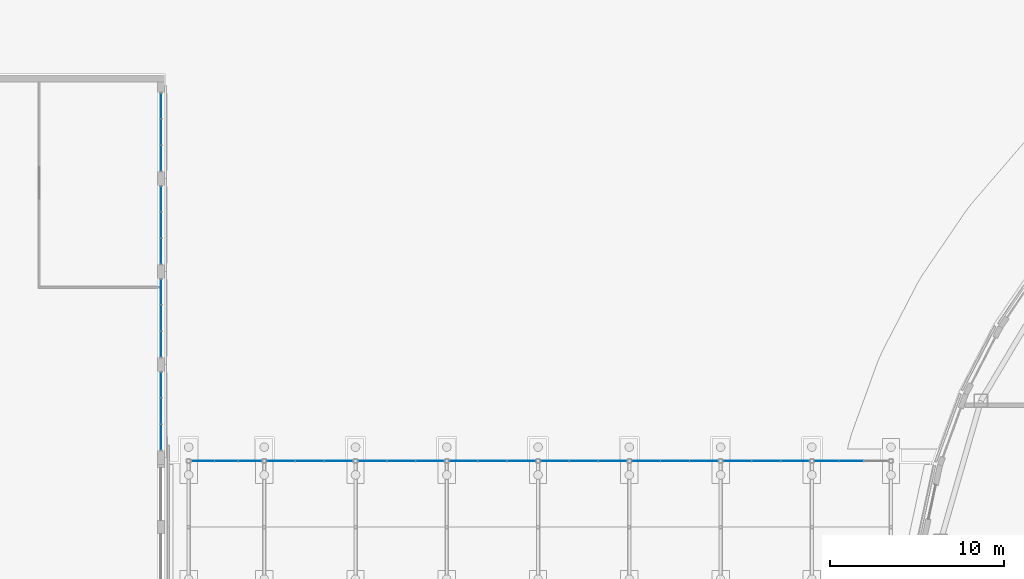
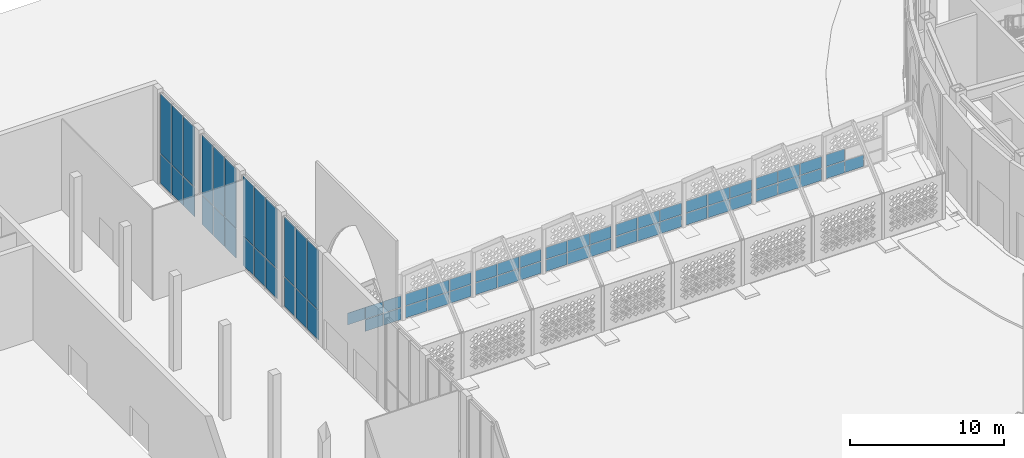
# One storey, part 35 of 79: 68 plates, 12 elements without a shape of their own.
"""IFC4 building model written with IfcOpenShell, lengths in metres."""

from ifc_helpers import new_model, si_unit, direction, frame, origin, origin_2d, place, context, subcontext, project, spatial, rectangle, extrude, material, layer, layer_set, type_object, element, aggregate, save


model = new_model("IFC4")

# Units and contexts
model_context = context("Model", 3, precision=1e-05, world=origin(), true_north=direction((0.0, 1.0)))
body_context = subcontext(model_context, "Body", "Model", "MODEL_VIEW")
ifc_project = project(units=[si_unit("LENGTHUNIT", "METRE"), si_unit("AREAUNIT", "SQUARE_METRE"), si_unit("VOLUMEUNIT", "CUBIC_METRE"), si_unit("PLANEANGLEUNIT", "RADIAN"), si_unit("MASSUNIT", "GRAM", prefix="KILO")], contexts=[model_context])

# Site, building, storey
site_placement = place(None, origin())
site = spatial("IfcSite", under=ifc_project, at=site_placement, CompositionType="ELEMENT")
building_placement = place(site_placement, origin())
building = spatial("IfcBuilding", under=site, at=building_placement, Name="Noorbagh Ring Tower", CompositionType="ELEMENT")
storey_placement = place(building_placement, origin())
storey = spatial("IfcBuildingStorey", under=building, at=storey_placement, Name="L00", CompositionType="ELEMENT", Elevation=0.0)

# Curtain wall, plates
ifc_material_1 = material(Name="Aluminium and glass", Category="aluminium")
ifc_layer_1 = layer(ifc_material_1, 0.10009765625)
ifc_layer_set_1 = layer_set([ifc_layer_1], Name="Aluminium and glass")
curtain_wall_type_1 = type_object("IfcCurtainWallType", Name="AR-CW", PredefinedType="NOTDEFINED", material=ifc_layer_set_1)
curtain_wall_1_placement = place(storey_placement, origin())
curtain_wall_1 = element("IfcCurtainWall", 1, at=curtain_wall_1_placement, inside=storey, type_object=curtain_wall_type_1, Name="Arcade glazing", PredefinedType="NOTDEFINED")
ifc_material_2 = material(Name="Clear laminated glass", Category="glass")
ifc_layer_2 = layer(ifc_material_2, 0.02392578125)
ifc_layer_set_2 = layer_set([ifc_layer_2], Name="Clear laminated glass")
plate_type_1 = type_object("IfcPlateType", Name="AR-CW-PANEL", PredefinedType="CURTAIN_PANEL", material=ifc_layer_set_2)
plate_1_placement = place(storey_placement, frame((-92.779052734375, 8.800048828125, 1.02490234375), z_axis=(0.0, 0.0, 1.0), x_axis=(1.0, 0.0, 0.0)))
plate_1 = element("IfcPlate", 2, at=plate_1_placement, type_object=plate_type_1, Name="CW-A panel 1.2", PredefinedType="CURTAIN_PANEL", context=body_context, shape_type="SweptSolid", body=[
    extrude(rectangle(XDim=1.291748046875, YDim=0.02392578125, at=origin_2d()), origin(), (0.0, 0.0, 1.0), 0.925048828125),
])
plate_2_placement = place(storey_placement, frame((-91.425048828125, 8.800048828125, 0.0498046875), z_axis=(0.0, 0.0, 1.0), x_axis=(1.0, 0.0, 0.0)))
plate_2 = element("IfcPlate", 3, at=plate_2_placement, type_object=plate_type_1, Name="CW-A panel 2.1", PredefinedType="CURTAIN_PANEL", context=body_context, shape_type="SweptSolid", body=[
    extrude(rectangle(XDim=1.316650390625, YDim=0.02392578125, at=origin_2d()), origin(), (0.0, 0.0, 1.0), 0.925048828125),
])
plate_3_placement = place(storey_placement, frame((-91.425048828125, 8.800048828125, 1.02490234375), z_axis=(0.0, 0.0, 1.0), x_axis=(1.0, 0.0, 0.0)))
plate_3 = element("IfcPlate", 4, at=plate_3_placement, type_object=plate_type_1, Name="CW-A panel 2.2", PredefinedType="CURTAIN_PANEL", context=body_context, shape_type="SweptSolid", body=[
    extrude(rectangle(XDim=1.316650390625, YDim=0.02392578125, at=origin_2d()), origin(), (0.0, 0.0, 1.0), 0.925048828125),
])
plate_4_placement = place(storey_placement, frame((-90.07080078125, 8.800048828125, 0.0498046875), z_axis=(0.0, 0.0, 1.0), x_axis=(1.0, 0.0, 0.0)))
plate_4 = element("IfcPlate", 5, at=plate_4_placement, type_object=plate_type_1, Name="CW-A panel 3.1", PredefinedType="CURTAIN_PANEL", context=body_context, shape_type="SweptSolid", body=[
    extrude(rectangle(XDim=1.291748046875, YDim=0.02392578125, at=origin_2d()), origin(), (0.0, 0.0, 1.0), 0.925048828125),
])
plate_5_placement = place(storey_placement, frame((-90.07080078125, 8.800048828125, 1.02490234375), z_axis=(0.0, 0.0, 1.0), x_axis=(1.0, 0.0, 0.0)))
plate_5 = element("IfcPlate", 6, at=plate_5_placement, type_object=plate_type_1, Name="CW-A panel 3.2", PredefinedType="CURTAIN_PANEL", context=body_context, shape_type="SweptSolid", body=[
    extrude(rectangle(XDim=1.291748046875, YDim=0.02392578125, at=origin_2d()), origin(), (0.0, 0.0, 1.0), 0.925048828125),
])
aggregate(curtain_wall_1, [plate_1, plate_2, plate_3, plate_4, plate_5])

curtain_wall_2_placement = place(storey_placement, origin())
curtain_wall_2 = element("IfcCurtainWall", 7, at=curtain_wall_2_placement, inside=storey, type_object=curtain_wall_type_1, Name="Arcade glazing", PredefinedType="NOTDEFINED")
plate_6_placement = place(storey_placement, frame((-88.279052734375, 8.800048828125, 0.0498046875), z_axis=(0.0, 0.0, 1.0), x_axis=(1.0, 0.0, 0.0)))
plate_6 = element("IfcPlate", 8, at=plate_6_placement, type_object=plate_type_1, Name="CW-A panel 1.1", PredefinedType="CURTAIN_PANEL", context=body_context, shape_type="SweptSolid", body=[
    extrude(rectangle(XDim=1.591552734375, YDim=0.02392578125, at=origin_2d()), origin(), (0.0, 0.0, 1.0), 0.925048828125),
])
plate_7_placement = place(storey_placement, frame((-88.279052734375, 8.800048828125, 1.02490234375), z_axis=(0.0, 0.0, 1.0), x_axis=(1.0, 0.0, 0.0)))
plate_7 = element("IfcPlate", 9, at=plate_7_placement, type_object=plate_type_1, Name="CW-A panel 1.2", PredefinedType="CURTAIN_PANEL", context=body_context, shape_type="SweptSolid", body=[
    extrude(rectangle(XDim=1.591552734375, YDim=0.02392578125, at=origin_2d()), origin(), (0.0, 0.0, 1.0), 0.925048828125),
])
plate_8_placement = place(storey_placement, frame((-86.625, 8.800048828125, 0.0498046875), z_axis=(0.0, 0.0, 1.0), x_axis=(1.0, 0.0, 0.0)))
plate_8 = element("IfcPlate", 10, at=plate_8_placement, type_object=plate_type_1, Name="CW-A panel 2.1", PredefinedType="CURTAIN_PANEL", context=body_context, shape_type="SweptSolid", body=[
    extrude(rectangle(XDim=1.61669921875, YDim=0.02392578125, at=origin_2d()), origin(), (0.0, 0.0, 1.0), 0.925048828125),
])
plate_9_placement = place(storey_placement, frame((-86.625, 8.800048828125, 1.02490234375), z_axis=(0.0, 0.0, 1.0), x_axis=(1.0, 0.0, 0.0)))
plate_9 = element("IfcPlate", 11, at=plate_9_placement, type_object=plate_type_1, Name="CW-A panel 2.2", PredefinedType="CURTAIN_PANEL", context=body_context, shape_type="SweptSolid", body=[
    extrude(rectangle(XDim=1.61669921875, YDim=0.02392578125, at=origin_2d()), origin(), (0.0, 0.0, 1.0), 0.925048828125),
])
plate_10_placement = place(storey_placement, frame((-84.970947265625, 8.800048828125, 0.0498046875), z_axis=(0.0, 0.0, 1.0), x_axis=(1.0, 0.0, 0.0)))
plate_10 = element("IfcPlate", 12, at=plate_10_placement, type_object=plate_type_1, Name="CW-A panel 3.1", PredefinedType="CURTAIN_PANEL", context=body_context, shape_type="SweptSolid", body=[
    extrude(rectangle(XDim=1.591552734375, YDim=0.02392578125, at=origin_2d()), origin(), (0.0, 0.0, 1.0), 0.925048828125),
])
plate_11_placement = place(storey_placement, frame((-84.970947265625, 8.800048828125, 1.02490234375), z_axis=(0.0, 0.0, 1.0), x_axis=(1.0, 0.0, 0.0)))
plate_11 = element("IfcPlate", 13, at=plate_11_placement, type_object=plate_type_1, Name="CW-A panel 3.2", PredefinedType="CURTAIN_PANEL", context=body_context, shape_type="SweptSolid", body=[
    extrude(rectangle(XDim=1.591552734375, YDim=0.02392578125, at=origin_2d()), origin(), (0.0, 0.0, 1.0), 0.925048828125),
])
aggregate(curtain_wall_2, [plate_6, plate_7, plate_8, plate_9, plate_10, plate_11])

curtain_wall_3_placement = place(storey_placement, origin())
curtain_wall_3 = element("IfcCurtainWall", 14, at=curtain_wall_3_placement, inside=storey, type_object=curtain_wall_type_1, Name="Arcade glazing", PredefinedType="NOTDEFINED")
plate_12_placement = place(storey_placement, frame((-83.029052734375, 8.800048828125, 0.0498046875), z_axis=(0.0, 0.0, 1.0), x_axis=(1.0, 0.0, 0.0)))
plate_12 = element("IfcPlate", 15, at=plate_12_placement, type_object=plate_type_1, Name="CW-A panel 1.1", PredefinedType="CURTAIN_PANEL", context=body_context, shape_type="SweptSolid", body=[
    extrude(rectangle(XDim=1.591552734375, YDim=0.02392578125, at=origin_2d()), origin(), (0.0, 0.0, 1.0), 0.925048828125),
])
plate_13_placement = place(storey_placement, frame((-83.029052734375, 8.800048828125, 1.02490234375), z_axis=(0.0, 0.0, 1.0), x_axis=(1.0, 0.0, 0.0)))
plate_13 = element("IfcPlate", 16, at=plate_13_placement, type_object=plate_type_1, Name="CW-A panel 1.2", PredefinedType="CURTAIN_PANEL", context=body_context, shape_type="SweptSolid", body=[
    extrude(rectangle(XDim=1.591552734375, YDim=0.02392578125, at=origin_2d()), origin(), (0.0, 0.0, 1.0), 0.925048828125),
])
plate_14_placement = place(storey_placement, frame((-81.375, 8.800048828125, 0.0498046875), z_axis=(0.0, 0.0, 1.0), x_axis=(1.0, 0.0, 0.0)))
plate_14 = element("IfcPlate", 17, at=plate_14_placement, type_object=plate_type_1, Name="CW-A panel 2.1", PredefinedType="CURTAIN_PANEL", context=body_context, shape_type="SweptSolid", body=[
    extrude(rectangle(XDim=1.61669921875, YDim=0.02392578125, at=origin_2d()), origin(), (0.0, 0.0, 1.0), 0.925048828125),
])
plate_15_placement = place(storey_placement, frame((-81.375, 8.800048828125, 1.02490234375), z_axis=(0.0, 0.0, 1.0), x_axis=(1.0, 0.0, 0.0)))
plate_15 = element("IfcPlate", 18, at=plate_15_placement, type_object=plate_type_1, Name="CW-A panel 2.2", PredefinedType="CURTAIN_PANEL", context=body_context, shape_type="SweptSolid", body=[
    extrude(rectangle(XDim=1.61669921875, YDim=0.02392578125, at=origin_2d()), origin(), (0.0, 0.0, 1.0), 0.925048828125),
])
plate_16_placement = place(storey_placement, frame((-79.720947265625, 8.800048828125, 0.0498046875), z_axis=(0.0, 0.0, 1.0), x_axis=(1.0, 0.0, 0.0)))
plate_16 = element("IfcPlate", 19, at=plate_16_placement, type_object=plate_type_1, Name="CW-A panel 3.1", PredefinedType="CURTAIN_PANEL", context=body_context, shape_type="SweptSolid", body=[
    extrude(rectangle(XDim=1.591552734375, YDim=0.02392578125, at=origin_2d()), origin(), (0.0, 0.0, 1.0), 0.925048828125),
])
plate_17_placement = place(storey_placement, frame((-79.720947265625, 8.800048828125, 1.02490234375), z_axis=(0.0, 0.0, 1.0), x_axis=(1.0, 0.0, 0.0)))
plate_17 = element("IfcPlate", 20, at=plate_17_placement, type_object=plate_type_1, Name="CW-A panel 3.2", PredefinedType="CURTAIN_PANEL", context=body_context, shape_type="SweptSolid", body=[
    extrude(rectangle(XDim=1.591552734375, YDim=0.02392578125, at=origin_2d()), origin(), (0.0, 0.0, 1.0), 0.925048828125),
])
aggregate(curtain_wall_3, [plate_12, plate_13, plate_14, plate_15, plate_16, plate_17])

curtain_wall_4_placement = place(storey_placement, origin())
curtain_wall_4 = element("IfcCurtainWall", 21, at=curtain_wall_4_placement, inside=storey, type_object=curtain_wall_type_1, Name="Arcade glazing", PredefinedType="NOTDEFINED")
plate_18_placement = place(storey_placement, frame((-77.779052734375, 8.800048828125, 0.0498046875), z_axis=(0.0, 0.0, 1.0), x_axis=(1.0, 0.0, 0.0)))
plate_18 = element("IfcPlate", 22, at=plate_18_placement, type_object=plate_type_1, Name="CW-A panel 1.1", PredefinedType="CURTAIN_PANEL", context=body_context, shape_type="SweptSolid", body=[
    extrude(rectangle(XDim=1.591552734375, YDim=0.02392578125, at=origin_2d()), origin(), (0.0, 0.0, 1.0), 0.925048828125),
])
plate_19_placement = place(storey_placement, frame((-77.779052734375, 8.800048828125, 1.02490234375), z_axis=(0.0, 0.0, 1.0), x_axis=(1.0, 0.0, 0.0)))
plate_19 = element("IfcPlate", 23, at=plate_19_placement, type_object=plate_type_1, Name="CW-A panel 1.2", PredefinedType="CURTAIN_PANEL", context=body_context, shape_type="SweptSolid", body=[
    extrude(rectangle(XDim=1.591552734375, YDim=0.02392578125, at=origin_2d()), origin(), (0.0, 0.0, 1.0), 0.925048828125),
])
plate_20_placement = place(storey_placement, frame((-76.125, 8.800048828125, 0.0498046875), z_axis=(0.0, 0.0, 1.0), x_axis=(1.0, 0.0, 0.0)))
plate_20 = element("IfcPlate", 24, at=plate_20_placement, type_object=plate_type_1, Name="CW-A panel 2.1", PredefinedType="CURTAIN_PANEL", context=body_context, shape_type="SweptSolid", body=[
    extrude(rectangle(XDim=1.61669921875, YDim=0.02392578125, at=origin_2d()), origin(), (0.0, 0.0, 1.0), 0.925048828125),
])
plate_21_placement = place(storey_placement, frame((-76.125, 8.800048828125, 1.02490234375), z_axis=(0.0, 0.0, 1.0), x_axis=(1.0, 0.0, 0.0)))
plate_21 = element("IfcPlate", 25, at=plate_21_placement, type_object=plate_type_1, Name="CW-A panel 2.2", PredefinedType="CURTAIN_PANEL", context=body_context, shape_type="SweptSolid", body=[
    extrude(rectangle(XDim=1.61669921875, YDim=0.02392578125, at=origin_2d()), origin(), (0.0, 0.0, 1.0), 0.925048828125),
])
plate_22_placement = place(storey_placement, frame((-74.470947265625, 8.800048828125, 0.0498046875), z_axis=(0.0, 0.0, 1.0), x_axis=(1.0, 0.0, 0.0)))
plate_22 = element("IfcPlate", 26, at=plate_22_placement, type_object=plate_type_1, Name="CW-A panel 3.1", PredefinedType="CURTAIN_PANEL", context=body_context, shape_type="SweptSolid", body=[
    extrude(rectangle(XDim=1.591552734375, YDim=0.02392578125, at=origin_2d()), origin(), (0.0, 0.0, 1.0), 0.925048828125),
])
plate_23_placement = place(storey_placement, frame((-74.470947265625, 8.800048828125, 1.02490234375), z_axis=(0.0, 0.0, 1.0), x_axis=(1.0, 0.0, 0.0)))
plate_23 = element("IfcPlate", 27, at=plate_23_placement, type_object=plate_type_1, Name="CW-A panel 3.2", PredefinedType="CURTAIN_PANEL", context=body_context, shape_type="SweptSolid", body=[
    extrude(rectangle(XDim=1.591552734375, YDim=0.02392578125, at=origin_2d()), origin(), (0.0, 0.0, 1.0), 0.925048828125),
])
aggregate(curtain_wall_4, [plate_18, plate_19, plate_20, plate_21, plate_22, plate_23])

curtain_wall_5_placement = place(storey_placement, origin())
curtain_wall_5 = element("IfcCurtainWall", 28, at=curtain_wall_5_placement, inside=storey, type_object=curtain_wall_type_1, Name="Arcade glazing", PredefinedType="NOTDEFINED")
plate_24_placement = place(storey_placement, frame((-72.529052734375, 8.800048828125, 0.0498046875), z_axis=(0.0, 0.0, 1.0), x_axis=(1.0, 0.0, 0.0)))
plate_24 = element("IfcPlate", 29, at=plate_24_placement, type_object=plate_type_1, Name="CW-A panel 1.1", PredefinedType="CURTAIN_PANEL", context=body_context, shape_type="SweptSolid", body=[
    extrude(rectangle(XDim=1.591552734375, YDim=0.02392578125, at=origin_2d()), origin(), (0.0, 0.0, 1.0), 0.925048828125),
])
plate_25_placement = place(storey_placement, frame((-72.529052734375, 8.800048828125, 1.02490234375), z_axis=(0.0, 0.0, 1.0), x_axis=(1.0, 0.0, 0.0)))
plate_25 = element("IfcPlate", 30, at=plate_25_placement, type_object=plate_type_1, Name="CW-A panel 1.2", PredefinedType="CURTAIN_PANEL", context=body_context, shape_type="SweptSolid", body=[
    extrude(rectangle(XDim=1.591552734375, YDim=0.02392578125, at=origin_2d()), origin(), (0.0, 0.0, 1.0), 0.925048828125),
])
plate_26_placement = place(storey_placement, frame((-70.875, 8.800048828125, 0.0498046875), z_axis=(0.0, 0.0, 1.0), x_axis=(1.0, 0.0, 0.0)))
plate_26 = element("IfcPlate", 31, at=plate_26_placement, type_object=plate_type_1, Name="CW-A panel 2.1", PredefinedType="CURTAIN_PANEL", context=body_context, shape_type="SweptSolid", body=[
    extrude(rectangle(XDim=1.61669921875, YDim=0.02392578125, at=origin_2d()), origin(), (0.0, 0.0, 1.0), 0.925048828125),
])
plate_27_placement = place(storey_placement, frame((-70.875, 8.800048828125, 1.02490234375), z_axis=(0.0, 0.0, 1.0), x_axis=(1.0, 0.0, 0.0)))
plate_27 = element("IfcPlate", 32, at=plate_27_placement, type_object=plate_type_1, Name="CW-A panel 2.2", PredefinedType="CURTAIN_PANEL", context=body_context, shape_type="SweptSolid", body=[
    extrude(rectangle(XDim=1.61669921875, YDim=0.02392578125, at=origin_2d()), origin(), (0.0, 0.0, 1.0), 0.925048828125),
])
plate_28_placement = place(storey_placement, frame((-69.220947265625, 8.800048828125, 0.0498046875), z_axis=(0.0, 0.0, 1.0), x_axis=(1.0, 0.0, 0.0)))
plate_28 = element("IfcPlate", 33, at=plate_28_placement, type_object=plate_type_1, Name="CW-A panel 3.1", PredefinedType="CURTAIN_PANEL", context=body_context, shape_type="SweptSolid", body=[
    extrude(rectangle(XDim=1.591552734375, YDim=0.02392578125, at=origin_2d()), origin(), (0.0, 0.0, 1.0), 0.925048828125),
])
plate_29_placement = place(storey_placement, frame((-69.220947265625, 8.800048828125, 1.02490234375), z_axis=(0.0, 0.0, 1.0), x_axis=(1.0, 0.0, 0.0)))
plate_29 = element("IfcPlate", 34, at=plate_29_placement, type_object=plate_type_1, Name="CW-A panel 3.2", PredefinedType="CURTAIN_PANEL", context=body_context, shape_type="SweptSolid", body=[
    extrude(rectangle(XDim=1.591552734375, YDim=0.02392578125, at=origin_2d()), origin(), (0.0, 0.0, 1.0), 0.925048828125),
])
aggregate(curtain_wall_5, [plate_24, plate_25, plate_26, plate_27, plate_28, plate_29])

curtain_wall_6_placement = place(storey_placement, origin())
curtain_wall_6 = element("IfcCurtainWall", 35, at=curtain_wall_6_placement, inside=storey, type_object=curtain_wall_type_1, Name="Arcade glazing", PredefinedType="NOTDEFINED")
plate_30_placement = place(storey_placement, frame((-67.279052734375, 8.800048828125, 0.0498046875), z_axis=(0.0, 0.0, 1.0), x_axis=(1.0, 0.0, 0.0)))
plate_30 = element("IfcPlate", 36, at=plate_30_placement, type_object=plate_type_1, Name="CW-A panel 1.1", PredefinedType="CURTAIN_PANEL", context=body_context, shape_type="SweptSolid", body=[
    extrude(rectangle(XDim=1.591552734375, YDim=0.02392578125, at=origin_2d()), origin(), (0.0, 0.0, 1.0), 0.925048828125),
])
plate_31_placement = place(storey_placement, frame((-67.279052734375, 8.800048828125, 1.02490234375), z_axis=(0.0, 0.0, 1.0), x_axis=(1.0, 0.0, 0.0)))
plate_31 = element("IfcPlate", 37, at=plate_31_placement, type_object=plate_type_1, Name="CW-A panel 1.2", PredefinedType="CURTAIN_PANEL", context=body_context, shape_type="SweptSolid", body=[
    extrude(rectangle(XDim=1.591552734375, YDim=0.02392578125, at=origin_2d()), origin(), (0.0, 0.0, 1.0), 0.925048828125),
])
plate_32_placement = place(storey_placement, frame((-65.625, 8.800048828125, 0.0498046875), z_axis=(0.0, 0.0, 1.0), x_axis=(1.0, 0.0, 0.0)))
plate_32 = element("IfcPlate", 38, at=plate_32_placement, type_object=plate_type_1, Name="CW-A panel 2.1", PredefinedType="CURTAIN_PANEL", context=body_context, shape_type="SweptSolid", body=[
    extrude(rectangle(XDim=1.61669921875, YDim=0.02392578125, at=origin_2d()), origin(), (0.0, 0.0, 1.0), 0.925048828125),
])
plate_33_placement = place(storey_placement, frame((-65.625, 8.800048828125, 1.02490234375), z_axis=(0.0, 0.0, 1.0), x_axis=(1.0, 0.0, 0.0)))
plate_33 = element("IfcPlate", 39, at=plate_33_placement, type_object=plate_type_1, Name="CW-A panel 2.2", PredefinedType="CURTAIN_PANEL", context=body_context, shape_type="SweptSolid", body=[
    extrude(rectangle(XDim=1.61669921875, YDim=0.02392578125, at=origin_2d()), origin(), (0.0, 0.0, 1.0), 0.925048828125),
])
plate_34_placement = place(storey_placement, frame((-63.970947265625, 8.800048828125, 0.0498046875), z_axis=(0.0, 0.0, 1.0), x_axis=(1.0, 0.0, 0.0)))
plate_34 = element("IfcPlate", 40, at=plate_34_placement, type_object=plate_type_1, Name="CW-A panel 3.1", PredefinedType="CURTAIN_PANEL", context=body_context, shape_type="SweptSolid", body=[
    extrude(rectangle(XDim=1.591552734375, YDim=0.02392578125, at=origin_2d()), origin(), (0.0, 0.0, 1.0), 0.925048828125),
])
plate_35_placement = place(storey_placement, frame((-63.970947265625, 8.800048828125, 1.02490234375), z_axis=(0.0, 0.0, 1.0), x_axis=(1.0, 0.0, 0.0)))
plate_35 = element("IfcPlate", 41, at=plate_35_placement, type_object=plate_type_1, Name="CW-A panel 3.2", PredefinedType="CURTAIN_PANEL", context=body_context, shape_type="SweptSolid", body=[
    extrude(rectangle(XDim=1.591552734375, YDim=0.02392578125, at=origin_2d()), origin(), (0.0, 0.0, 1.0), 0.925048828125),
])
aggregate(curtain_wall_6, [plate_30, plate_31, plate_32, plate_33, plate_34, plate_35])

curtain_wall_7_placement = place(storey_placement, origin())
curtain_wall_7 = element("IfcCurtainWall", 42, at=curtain_wall_7_placement, inside=storey, type_object=curtain_wall_type_1, Name="Arcade glazing", PredefinedType="NOTDEFINED")
plate_36_placement = place(storey_placement, frame((-62.029052734375, 8.800048828125, 0.0498046875), z_axis=(0.0, 0.0, 1.0), x_axis=(1.0, 0.0, 0.0)))
plate_36 = element("IfcPlate", 43, at=plate_36_placement, type_object=plate_type_1, Name="CW-A panel 1.1", PredefinedType="CURTAIN_PANEL", context=body_context, shape_type="SweptSolid", body=[
    extrude(rectangle(XDim=1.591552734375, YDim=0.02392578125, at=origin_2d()), origin(), (0.0, 0.0, 1.0), 0.925048828125),
])
plate_37_placement = place(storey_placement, frame((-62.029052734375, 8.800048828125, 1.02490234375), z_axis=(0.0, 0.0, 1.0), x_axis=(1.0, 0.0, 0.0)))
plate_37 = element("IfcPlate", 44, at=plate_37_placement, type_object=plate_type_1, Name="CW-A panel 1.2", PredefinedType="CURTAIN_PANEL", context=body_context, shape_type="SweptSolid", body=[
    extrude(rectangle(XDim=1.591552734375, YDim=0.02392578125, at=origin_2d()), origin(), (0.0, 0.0, 1.0), 0.925048828125),
])
plate_38_placement = place(storey_placement, frame((-60.375, 8.800048828125, 0.0498046875), z_axis=(0.0, 0.0, 1.0), x_axis=(1.0, 0.0, 0.0)))
plate_38 = element("IfcPlate", 45, at=plate_38_placement, type_object=plate_type_1, Name="CW-A panel 2.1", PredefinedType="CURTAIN_PANEL", context=body_context, shape_type="SweptSolid", body=[
    extrude(rectangle(XDim=1.61669921875, YDim=0.02392578125, at=origin_2d()), origin(), (0.0, 0.0, 1.0), 0.925048828125),
])
plate_39_placement = place(storey_placement, frame((-60.375, 8.800048828125, 1.02490234375), z_axis=(0.0, 0.0, 1.0), x_axis=(1.0, 0.0, 0.0)))
plate_39 = element("IfcPlate", 46, at=plate_39_placement, type_object=plate_type_1, Name="CW-A panel 2.2", PredefinedType="CURTAIN_PANEL", context=body_context, shape_type="SweptSolid", body=[
    extrude(rectangle(XDim=1.61669921875, YDim=0.02392578125, at=origin_2d()), origin(), (0.0, 0.0, 1.0), 0.925048828125),
])
plate_40_placement = place(storey_placement, frame((-58.720947265625, 8.800048828125, 0.0498046875), z_axis=(0.0, 0.0, 1.0), x_axis=(1.0, 0.0, 0.0)))
plate_40 = element("IfcPlate", 47, at=plate_40_placement, type_object=plate_type_1, Name="CW-A panel 3.1", PredefinedType="CURTAIN_PANEL", context=body_context, shape_type="SweptSolid", body=[
    extrude(rectangle(XDim=1.591552734375, YDim=0.02392578125, at=origin_2d()), origin(), (0.0, 0.0, 1.0), 0.925048828125),
])
plate_41_placement = place(storey_placement, frame((-58.720947265625, 8.800048828125, 1.02490234375), z_axis=(0.0, 0.0, 1.0), x_axis=(1.0, 0.0, 0.0)))
plate_41 = element("IfcPlate", 48, at=plate_41_placement, type_object=plate_type_1, Name="CW-A panel 3.2", PredefinedType="CURTAIN_PANEL", context=body_context, shape_type="SweptSolid", body=[
    extrude(rectangle(XDim=1.591552734375, YDim=0.02392578125, at=origin_2d()), origin(), (0.0, 0.0, 1.0), 0.925048828125),
])
aggregate(curtain_wall_7, [plate_36, plate_37, plate_38, plate_39, plate_40, plate_41])

curtain_wall_8_placement = place(storey_placement, origin())
curtain_wall_8 = element("IfcCurtainWall", 49, at=curtain_wall_8_placement, inside=storey, type_object=curtain_wall_type_1, Name="Arcade glazing", PredefinedType="NOTDEFINED")
plate_42_placement = place(storey_placement, frame((-56.895751953125, 8.800048828125, 0.0498046875), z_axis=(0.0, 0.0, 1.0), x_axis=(1.0, 0.0, 0.0)))
plate_42 = element("IfcPlate", 50, at=plate_42_placement, type_object=plate_type_1, Name="CW-A panel 1.1", PredefinedType="CURTAIN_PANEL", context=body_context, shape_type="SweptSolid", body=[
    extrude(rectangle(XDim=1.3583984375, YDim=0.02392578125, at=origin_2d()), origin(), (0.0, 0.0, 1.0), 0.925048828125),
])
plate_43_placement = place(storey_placement, frame((-56.895751953125, 8.800048828125, 1.02490234375), z_axis=(0.0, 0.0, 1.0), x_axis=(1.0, 0.0, 0.0)))
plate_43 = element("IfcPlate", 51, at=plate_43_placement, type_object=plate_type_1, Name="CW-A panel 1.2", PredefinedType="CURTAIN_PANEL", context=body_context, shape_type="SweptSolid", body=[
    extrude(rectangle(XDim=1.3583984375, YDim=0.02392578125, at=origin_2d()), origin(), (0.0, 0.0, 1.0), 0.925048828125),
])
plate_44_placement = place(storey_placement, frame((-55.47509765625, 8.800048828125, 0.0498046875), z_axis=(0.0, 0.0, 1.0), x_axis=(1.0, 0.0, 0.0)))
plate_44 = element("IfcPlate", 52, at=plate_44_placement, type_object=plate_type_1, Name="CW-A panel 2.1", PredefinedType="CURTAIN_PANEL", context=body_context, shape_type="SweptSolid", body=[
    extrude(rectangle(XDim=1.38330078125, YDim=0.02392578125, at=origin_2d()), origin(), (0.0, 0.0, 1.0), 0.925048828125),
])
aggregate(curtain_wall_8, [plate_42, plate_43, plate_44])

ifc_material_3 = material(Name="Aluminium and glass", Category="aluminium")
ifc_layer_3 = layer(ifc_material_3, 0.199951171875)
ifc_layer_set_3 = layer_set([ifc_layer_3], Name="Aluminium and glass")
curtain_wall_type_2 = type_object("IfcCurtainWallType", Name="TH-CW", PredefinedType="NOTDEFINED", material=ifc_layer_set_3)
curtain_wall_9_placement = place(storey_placement, origin())
curtain_wall_9 = element("IfcCurtainWall", 53, at=curtain_wall_9_placement, inside=storey, type_object=curtain_wall_type_2, Name="Foyer glazing", PredefinedType="NOTDEFINED")
ifc_material_4 = material(Name="Clear laminated glass", Category="glass")
ifc_layer_4 = layer(ifc_material_4, 0.028076171875)
ifc_layer_set_4 = layer_set([ifc_layer_4], Name="Clear laminated glass")
plate_type_2 = type_object("IfcPlateType", Name="TH-CW-PANEL", PredefinedType="CURTAIN_PANEL", material=ifc_layer_set_4)
plate_45_placement = place(storey_placement, frame((-95.199951171875, 10.17333984375, 0.06005859375), z_axis=(0.0, 0.0, 1.0), x_axis=(0.0, 1.0, 0.0)))
plate_45 = element("IfcPlate", 54, at=plate_45_placement, type_object=plate_type_2, Name="CW-T panel 1.1", PredefinedType="CURTAIN_PANEL", context=body_context, shape_type="SweptSolid", body=[
    extrude(rectangle(XDim=1.4267578125, YDim=0.028076171875, at=origin_2d()), origin(), (0.0, 0.0, 1.0), 2.31005859375),
])
plate_46_placement = place(storey_placement, frame((-95.199951171875, 10.17333984375, 2.429931640625), z_axis=(0.0, 0.0, 1.0), x_axis=(0.0, 1.0, 0.0)))
plate_46 = element("IfcPlate", 55, at=plate_46_placement, type_object=plate_type_2, Name="CW-T panel 1.2", PredefinedType="CURTAIN_PANEL", context=body_context, shape_type="SweptSolid", body=[
    extrude(rectangle(XDim=1.4267578125, YDim=0.028076171875, at=origin_2d()), origin(), (0.0, 0.0, 1.0), 4.7099609375),
])
plate_47_placement = place(storey_placement, frame((-95.199951171875, 11.675048828125, 0.06005859375), z_axis=(0.0, 0.0, 1.0), x_axis=(0.0, 1.0, 0.0)))
plate_47 = element("IfcPlate", 56, at=plate_47_placement, type_object=plate_type_2, Name="CW-T panel 2.1", PredefinedType="CURTAIN_PANEL", context=body_context, shape_type="SweptSolid", body=[
    extrude(rectangle(XDim=1.456787109375, YDim=0.028076171875, at=origin_2d()), origin(), (0.0, 0.0, 1.0), 2.31005859375),
])
plate_48_placement = place(storey_placement, frame((-95.199951171875, 11.675048828125, 2.429931640625), z_axis=(0.0, 0.0, 1.0), x_axis=(0.0, 1.0, 0.0)))
plate_48 = element("IfcPlate", 57, at=plate_48_placement, type_object=plate_type_2, Name="CW-T panel 2.2", PredefinedType="CURTAIN_PANEL", context=body_context, shape_type="SweptSolid", body=[
    extrude(rectangle(XDim=1.456787109375, YDim=0.028076171875, at=origin_2d()), origin(), (0.0, 0.0, 1.0), 4.7099609375),
])
plate_49_placement = place(storey_placement, frame((-95.199951171875, 13.1767578125, 0.06005859375), z_axis=(0.0, 0.0, 1.0), x_axis=(0.0, 1.0, 0.0)))
plate_49 = element("IfcPlate", 58, at=plate_49_placement, type_object=plate_type_2, Name="CW-T panel 3.1", PredefinedType="CURTAIN_PANEL", context=body_context, shape_type="SweptSolid", body=[
    extrude(rectangle(XDim=1.4267578125, YDim=0.028076171875, at=origin_2d()), origin(), (0.0, 0.0, 1.0), 2.31005859375),
])
plate_50_placement = place(storey_placement, frame((-95.199951171875, 13.1767578125, 2.429931640625), z_axis=(0.0, 0.0, 1.0), x_axis=(0.0, 1.0, 0.0)))
plate_50 = element("IfcPlate", 59, at=plate_50_placement, type_object=plate_type_2, Name="CW-T panel 3.2", PredefinedType="CURTAIN_PANEL", context=body_context, shape_type="SweptSolid", body=[
    extrude(rectangle(XDim=1.4267578125, YDim=0.028076171875, at=origin_2d()), origin(), (0.0, 0.0, 1.0), 4.7099609375),
])
aggregate(curtain_wall_9, [plate_45, plate_46, plate_47, plate_48, plate_49, plate_50])

curtain_wall_10_placement = place(storey_placement, origin())
curtain_wall_10 = element("IfcCurtainWall", 60, at=curtain_wall_10_placement, inside=storey, type_object=curtain_wall_type_2, Name="Foyer glazing", PredefinedType="NOTDEFINED")
plate_51_placement = place(storey_placement, frame((-95.199951171875, 15.5234375, 0.06005859375), z_axis=(0.0, 0.0, 1.0), x_axis=(0.0, 1.0, 0.0)))
plate_51 = element("IfcPlate", 61, at=plate_51_placement, type_object=plate_type_2, Name="CW-T panel 1.1", PredefinedType="CURTAIN_PANEL", context=body_context, shape_type="SweptSolid", body=[
    extrude(rectangle(XDim=1.4267578125, YDim=0.028076171875, at=origin_2d()), origin(), (0.0, 0.0, 1.0), 2.31005859375),
])
plate_52_placement = place(storey_placement, frame((-95.199951171875, 15.5234375, 2.429931640625), z_axis=(0.0, 0.0, 1.0), x_axis=(0.0, 1.0, 0.0)))
plate_52 = element("IfcPlate", 62, at=plate_52_placement, type_object=plate_type_2, Name="CW-T panel 1.2", PredefinedType="CURTAIN_PANEL", context=body_context, shape_type="SweptSolid", body=[
    extrude(rectangle(XDim=1.4267578125, YDim=0.028076171875, at=origin_2d()), origin(), (0.0, 0.0, 1.0), 4.7099609375),
])
plate_53_placement = place(storey_placement, frame((-95.199951171875, 17.02490234375, 0.06005859375), z_axis=(0.0, 0.0, 1.0), x_axis=(0.0, 1.0, 0.0)))
plate_53 = element("IfcPlate", 63, at=plate_53_placement, type_object=plate_type_2, Name="CW-T panel 2.1", PredefinedType="CURTAIN_PANEL", context=body_context, shape_type="SweptSolid", body=[
    extrude(rectangle(XDim=1.456787109375, YDim=0.028076171875, at=origin_2d()), origin(), (0.0, 0.0, 1.0), 2.31005859375),
])
plate_54_placement = place(storey_placement, frame((-95.199951171875, 17.02490234375, 2.429931640625), z_axis=(0.0, 0.0, 1.0), x_axis=(0.0, 1.0, 0.0)))
plate_54 = element("IfcPlate", 64, at=plate_54_placement, type_object=plate_type_2, Name="CW-T panel 2.2", PredefinedType="CURTAIN_PANEL", context=body_context, shape_type="SweptSolid", body=[
    extrude(rectangle(XDim=1.456787109375, YDim=0.028076171875, at=origin_2d()), origin(), (0.0, 0.0, 1.0), 4.7099609375),
])
plate_55_placement = place(storey_placement, frame((-95.199951171875, 18.526611328125, 0.06005859375), z_axis=(0.0, 0.0, 1.0), x_axis=(0.0, 1.0, 0.0)))
plate_55 = element("IfcPlate", 65, at=plate_55_placement, type_object=plate_type_2, Name="CW-T panel 3.1", PredefinedType="CURTAIN_PANEL", context=body_context, shape_type="SweptSolid", body=[
    extrude(rectangle(XDim=1.4267578125, YDim=0.028076171875, at=origin_2d()), origin(), (0.0, 0.0, 1.0), 2.31005859375),
])
plate_56_placement = place(storey_placement, frame((-95.199951171875, 18.526611328125, 2.429931640625), z_axis=(0.0, 0.0, 1.0), x_axis=(0.0, 1.0, 0.0)))
plate_56 = element("IfcPlate", 66, at=plate_56_placement, type_object=plate_type_2, Name="CW-T panel 3.2", PredefinedType="CURTAIN_PANEL", context=body_context, shape_type="SweptSolid", body=[
    extrude(rectangle(XDim=1.4267578125, YDim=0.028076171875, at=origin_2d()), origin(), (0.0, 0.0, 1.0), 4.7099609375),
])
aggregate(curtain_wall_10, [plate_51, plate_52, plate_53, plate_54, plate_55, plate_56])

curtain_wall_11_placement = place(storey_placement, origin())
curtain_wall_11 = element("IfcCurtainWall", 67, at=curtain_wall_11_placement, inside=storey, type_object=curtain_wall_type_2, Name="Foyer glazing", PredefinedType="NOTDEFINED")
plate_57_placement = place(storey_placement, frame((-95.199951171875, 20.873291015625, 0.06005859375), z_axis=(0.0, 0.0, 1.0), x_axis=(0.0, 1.0, 0.0)))
plate_57 = element("IfcPlate", 68, at=plate_57_placement, type_object=plate_type_2, Name="CW-T panel 1.1", PredefinedType="CURTAIN_PANEL", context=body_context, shape_type="SweptSolid", body=[
    extrude(rectangle(XDim=1.4267578125, YDim=0.028076171875, at=origin_2d()), origin(), (0.0, 0.0, 1.0), 2.31005859375),
])
plate_58_placement = place(storey_placement, frame((-95.199951171875, 20.873291015625, 2.429931640625), z_axis=(0.0, 0.0, 1.0), x_axis=(0.0, 1.0, 0.0)))
plate_58 = element("IfcPlate", 69, at=plate_58_placement, type_object=plate_type_2, Name="CW-T panel 1.2", PredefinedType="CURTAIN_PANEL", context=body_context, shape_type="SweptSolid", body=[
    extrude(rectangle(XDim=1.4267578125, YDim=0.028076171875, at=origin_2d()), origin(), (0.0, 0.0, 1.0), 4.7099609375),
])
plate_59_placement = place(storey_placement, frame((-95.199951171875, 22.375, 0.06005859375), z_axis=(0.0, 0.0, 1.0), x_axis=(0.0, 1.0, 0.0)))
plate_59 = element("IfcPlate", 70, at=plate_59_placement, type_object=plate_type_2, Name="CW-T panel 2.1", PredefinedType="CURTAIN_PANEL", context=body_context, shape_type="SweptSolid", body=[
    extrude(rectangle(XDim=1.456787109375, YDim=0.028076171875, at=origin_2d()), origin(), (0.0, 0.0, 1.0), 2.31005859375),
])
plate_60_placement = place(storey_placement, frame((-95.199951171875, 22.375, 2.429931640625), z_axis=(0.0, 0.0, 1.0), x_axis=(0.0, 1.0, 0.0)))
plate_60 = element("IfcPlate", 71, at=plate_60_placement, type_object=plate_type_2, Name="CW-T panel 2.2", PredefinedType="CURTAIN_PANEL", context=body_context, shape_type="SweptSolid", body=[
    extrude(rectangle(XDim=1.456787109375, YDim=0.028076171875, at=origin_2d()), origin(), (0.0, 0.0, 1.0), 4.7099609375),
])
plate_61_placement = place(storey_placement, frame((-95.199951171875, 23.876708984375, 0.06005859375), z_axis=(0.0, 0.0, 1.0), x_axis=(0.0, 1.0, 0.0)))
plate_61 = element("IfcPlate", 72, at=plate_61_placement, type_object=plate_type_2, Name="CW-T panel 3.1", PredefinedType="CURTAIN_PANEL", context=body_context, shape_type="SweptSolid", body=[
    extrude(rectangle(XDim=1.4267578125, YDim=0.028076171875, at=origin_2d()), origin(), (0.0, 0.0, 1.0), 2.31005859375),
])
plate_62_placement = place(storey_placement, frame((-95.199951171875, 23.876708984375, 2.429931640625), z_axis=(0.0, 0.0, 1.0), x_axis=(0.0, 1.0, 0.0)))
plate_62 = element("IfcPlate", 73, at=plate_62_placement, type_object=plate_type_2, Name="CW-T panel 3.2", PredefinedType="CURTAIN_PANEL", context=body_context, shape_type="SweptSolid", body=[
    extrude(rectangle(XDim=1.4267578125, YDim=0.028076171875, at=origin_2d()), origin(), (0.0, 0.0, 1.0), 4.7099609375),
])
aggregate(curtain_wall_11, [plate_57, plate_58, plate_59, plate_60, plate_61, plate_62])

curtain_wall_12_placement = place(storey_placement, origin())
curtain_wall_12 = element("IfcCurtainWall", 74, at=curtain_wall_12_placement, inside=storey, type_object=curtain_wall_type_2, Name="Foyer glazing", PredefinedType="NOTDEFINED")
plate_63_placement = place(storey_placement, frame((-95.199951171875, 26.223388671875, 0.06005859375), z_axis=(0.0, 0.0, 1.0), x_axis=(0.0, 1.0, 0.0)))
plate_63 = element("IfcPlate", 75, at=plate_63_placement, type_object=plate_type_2, Name="CW-T panel 1.1", PredefinedType="CURTAIN_PANEL", context=body_context, shape_type="SweptSolid", body=[
    extrude(rectangle(XDim=1.4267578125, YDim=0.028076171875, at=origin_2d()), origin(), (0.0, 0.0, 1.0), 2.31005859375),
])
plate_64_placement = place(storey_placement, frame((-95.199951171875, 26.223388671875, 2.429931640625), z_axis=(0.0, 0.0, 1.0), x_axis=(0.0, 1.0, 0.0)))
plate_64 = element("IfcPlate", 76, at=plate_64_placement, type_object=plate_type_2, Name="CW-T panel 1.2", PredefinedType="CURTAIN_PANEL", context=body_context, shape_type="SweptSolid", body=[
    extrude(rectangle(XDim=1.4267578125, YDim=0.028076171875, at=origin_2d()), origin(), (0.0, 0.0, 1.0), 4.7099609375),
])
plate_65_placement = place(storey_placement, frame((-95.199951171875, 27.72509765625, 0.06005859375), z_axis=(0.0, 0.0, 1.0), x_axis=(0.0, 1.0, 0.0)))
plate_65 = element("IfcPlate", 77, at=plate_65_placement, type_object=plate_type_2, Name="CW-T panel 2.1", PredefinedType="CURTAIN_PANEL", context=body_context, shape_type="SweptSolid", body=[
    extrude(rectangle(XDim=1.456787109375, YDim=0.028076171875, at=origin_2d()), origin(), (0.0, 0.0, 1.0), 2.31005859375),
])
plate_66_placement = place(storey_placement, frame((-95.199951171875, 27.72509765625, 2.429931640625), z_axis=(0.0, 0.0, 1.0), x_axis=(0.0, 1.0, 0.0)))
plate_66 = element("IfcPlate", 78, at=plate_66_placement, type_object=plate_type_2, Name="CW-T panel 2.2", PredefinedType="CURTAIN_PANEL", context=body_context, shape_type="SweptSolid", body=[
    extrude(rectangle(XDim=1.456787109375, YDim=0.028076171875, at=origin_2d()), origin(), (0.0, 0.0, 1.0), 4.7099609375),
])
plate_67_placement = place(storey_placement, frame((-95.199951171875, 29.2265625, 0.06005859375), z_axis=(0.0, 0.0, 1.0), x_axis=(0.0, 1.0, 0.0)))
plate_67 = element("IfcPlate", 79, at=plate_67_placement, type_object=plate_type_2, Name="CW-T panel 3.1", PredefinedType="CURTAIN_PANEL", context=body_context, shape_type="SweptSolid", body=[
    extrude(rectangle(XDim=1.4267578125, YDim=0.028076171875, at=origin_2d()), origin(), (0.0, 0.0, 1.0), 2.31005859375),
])
plate_68_placement = place(storey_placement, frame((-95.199951171875, 29.2265625, 2.429931640625), z_axis=(0.0, 0.0, 1.0), x_axis=(0.0, 1.0, 0.0)))
plate_68 = element("IfcPlate", 80, at=plate_68_placement, type_object=plate_type_2, Name="CW-T panel 3.2", PredefinedType="CURTAIN_PANEL", context=body_context, shape_type="SweptSolid", body=[
    extrude(rectangle(XDim=1.4267578125, YDim=0.028076171875, at=origin_2d()), origin(), (0.0, 0.0, 1.0), 4.7099609375),
])
aggregate(curtain_wall_12, [plate_63, plate_64, plate_65, plate_66, plate_67, plate_68])

save(model, "model.ifc")
